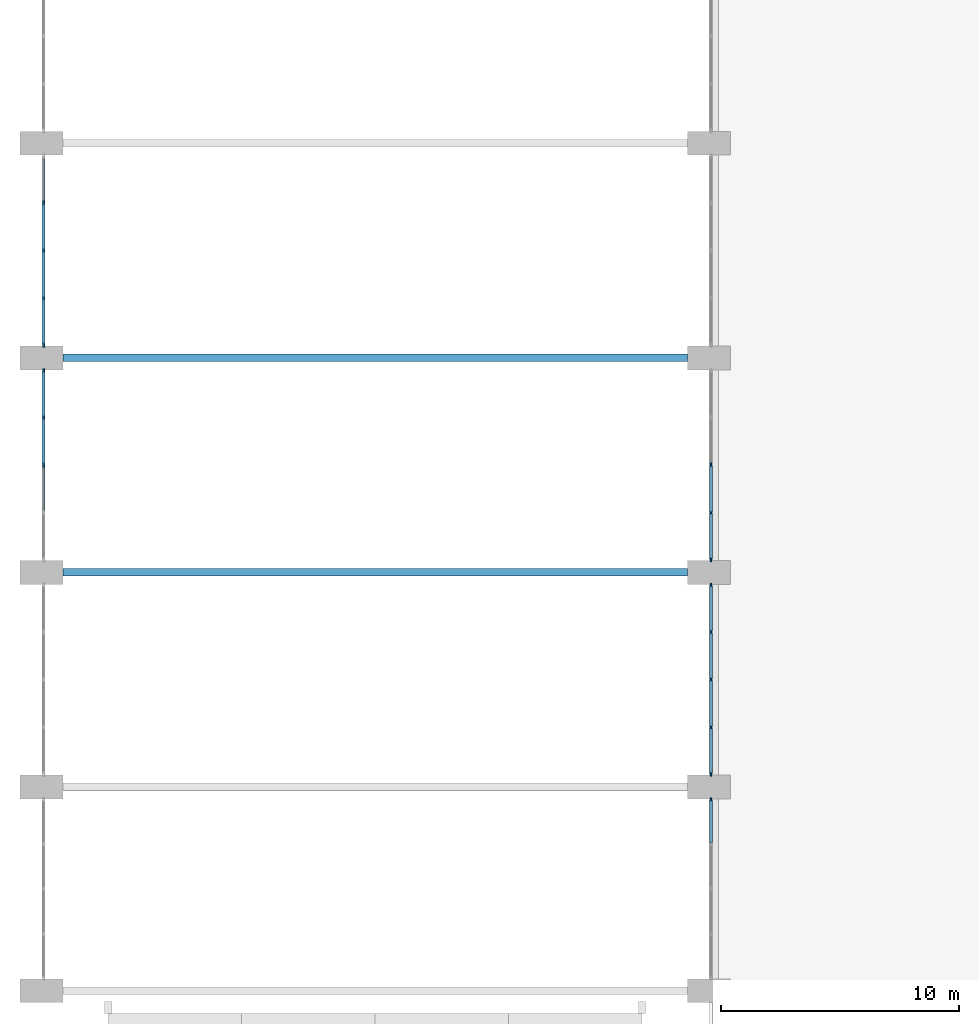
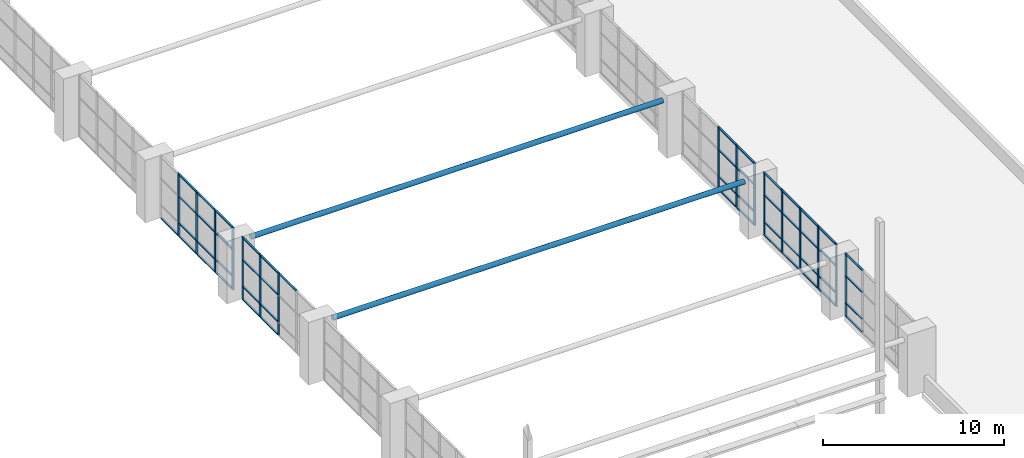
# One storey, part 3 of 21: 68 members, 5 elements without a shape of their own.
"""IFC4 building model written with IfcOpenShell, lengths in metres."""

import ifcopenshell
import ifcopenshell.guid

model = None  # the IFC model being written
_history = None  # IfcOwnerHistory: only IFC2X3 demands one
_inside = {}  # id of a spatial element -> (the spatial element, [elements in it])
_under = {}  # id of a project, library or spatial element -> (it, [spatial elements below it])
_declared = {}  # id of a project -> (the project, [libraries it declares])
_typed = {}  # id of a type object -> (the type object, [elements of that type])
_made_of = {}  # id of a material, layer set ... -> (it, [elements and type objects made of it])


def new_model(schema):
    """Start an empty IFC model of exactly this schema.

    Asked for "IFC4X3", IfcOpenShell would pick the latest addendum, in which some entities
    have other attributes; the version numbers below select the first issue.
    IFC2X3 requires an IfcOwnerHistory on every rooted entity: one is made here for all.
    """
    global model, _history
    if schema == "IFC4X3":
        model = ifcopenshell.file(schema_version=(4, 3, 0, 0))
    else:
        model = ifcopenshell.file(schema=schema)
    _inside.clear()
    _under.clear()
    _declared.clear()
    _typed.clear()
    _made_of.clear()
    _history = None
    if model.schema == "IFC2X3":
        org = make("IfcOrganization", Name="unknown")
        user = make(
            "IfcPersonAndOrganization",
            ThePerson=make("IfcPerson", FamilyName="unknown"),
            TheOrganization=org,
        )
        app = make(
            "IfcApplication",
            ApplicationDeveloper=org,
            Version="unknown",
            ApplicationFullName="unknown",
            ApplicationIdentifier="unknown",
        )
        _history = make(
            "IfcOwnerHistory",
            OwningUser=user,
            OwningApplication=app,
            ChangeAction="ADDED",
            CreationDate=0,
        )
    return model


def make(cls, **values):
    """One entity of the class cls with the attributes given. An attribute that is None is left unset."""
    return model.create_entity(
        cls, **{name: value for name, value in values.items() if value is not None}
    )


def rooted(cls, **values):
    """An entity with a GlobalId (a new one), such as an element, a storey or a relation."""
    return make(cls, GlobalId=ifcopenshell.guid.new(), OwnerHistory=_history, **values)


def si_unit(unit_type, name, prefix=None):
    """IfcSIUnit, for example si_unit("LENGTHUNIT", "METRE", prefix="MILLI")."""
    return make("IfcSIUnit", UnitType=unit_type, Prefix=prefix, Name=name)


def assignment(units):
    """IfcUnitAssignment: the units of a project."""
    return None if units is None else make("IfcUnitAssignment", Units=units)


def point(xyz):
    """IfcCartesianPoint."""
    return None if xyz is None else make("IfcCartesianPoint", Coordinates=xyz)


def direction(xyz):
    """IfcDirection."""
    return None if xyz is None else make("IfcDirection", DirectionRatios=xyz)


def frame(location, z_axis=None, x_axis=None):
    """IfcAxis2Placement3D, a coordinate frame: its origin and axes. An axis left out is left unset."""
    return make(
        "IfcAxis2Placement3D",
        Location=point(location),
        Axis=direction(z_axis),
        RefDirection=direction(x_axis),
    )


def frame_2d(location, x_axis=None):
    """IfcAxis2Placement2D, a coordinate frame in the plane: its origin and x axis."""
    return make(
        "IfcAxis2Placement2D", Location=point(location), RefDirection=direction(x_axis)
    )


def origin():
    """The frame at (0, 0, 0) with its axes left unset."""
    return frame((0.0, 0.0, 0.0))


def origin_2d():
    """The frame at (0, 0) in the plane with its x axis left unset."""
    return frame_2d((0.0, 0.0))


def place(relative_to, where):
    """IfcLocalPlacement: puts the frame where relative to a parent placement (None: the world)."""
    return make(
        "IfcLocalPlacement", PlacementRelTo=relative_to, RelativePlacement=where
    )


def context(
    kind, dimensions, precision=None, world=None, true_north=None, identifier=None
):
    """IfcGeometricRepresentationContext, for example the 3D "Model" context."""
    return make(
        "IfcGeometricRepresentationContext",
        ContextIdentifier=identifier,
        ContextType=kind,
        CoordinateSpaceDimension=dimensions,
        Precision=precision,
        WorldCoordinateSystem=world,
        TrueNorth=true_north,
    )


def subcontext(parent, identifier, kind, view, scale=None):
    """IfcGeometricRepresentationSubContext, for example "Body" below "Model"."""
    return make(
        "IfcGeometricRepresentationSubContext",
        ContextIdentifier=identifier,
        ContextType=kind,
        ParentContext=parent,
        TargetScale=scale,
        TargetView=view,
    )


def project(units=None, contexts=None):
    """IfcProject with its units and contexts."""
    return rooted(
        "IfcProject",
        Name="project",
        RepresentationContexts=contexts,
        UnitsInContext=assignment(units),
    )


def spatial(cls, under=None, at=None, **own):
    """A site, building, storey or space (cls), placed at a placement, below another one or the project."""
    s = rooted(cls, ObjectPlacement=at, **own)
    if under is not None:
        _under.setdefault(under.id(), (under, []))[1].append(s)
    return s


def profile(cls, at=None, kind="AREA", **sizes):
    """A parametric profile (cls). Its sizes go by their IFC names, for example OverallWidth=200.0."""
    return make(cls, ProfileType=kind, Position=at, **sizes)


def rectangle(**sizes):
    """IfcRectangleProfileDef."""
    return profile("IfcRectangleProfileDef", **sizes)


def hollow_circle(**sizes):
    """IfcCircleHollowProfileDef."""
    return profile("IfcCircleHollowProfileDef", **sizes)


def extrude(swept, where, along, depth):
    """IfcExtrudedAreaSolid: the profile swept, set in the frame where, extruded along a direction by depth."""
    return make(
        "IfcExtrudedAreaSolid",
        SweptArea=swept,
        Position=where,
        ExtrudedDirection=direction(along),
        Depth=depth,
    )


def shape(context_of_items, identifier, shape_type, items):
    """IfcShapeRepresentation: the items that make up one representation, for example the "Body"."""
    return make(
        "IfcShapeRepresentation",
        ContextOfItems=context_of_items,
        RepresentationIdentifier=identifier,
        RepresentationType=shape_type,
        Items=items,
    )


def material(Name=None, Category=None):
    """IfcMaterial."""
    return make("IfcMaterial", Name=Name, Category=Category)


def material_profile(
    of_material, cross_section, Name=None, Category=None, Priority=None
):
    """IfcMaterialProfile: a cross section and its material."""
    return make(
        "IfcMaterialProfile",
        Name=Name,
        Material=of_material,
        Profile=cross_section,
        Priority=Priority,
        Category=Category,
    )


def profile_set(profiles, Name=None, composite=None):
    """IfcMaterialProfileSet."""
    return make(
        "IfcMaterialProfileSet",
        Name=Name,
        MaterialProfiles=profiles,
        CompositeProfile=composite,
    )


def made_of(thing, what):
    """Note that an element or type object is made of a material, layer set ...; save() writes the relation."""
    if what is not None:
        _made_of.setdefault(what.id(), (what, []))[1].append(thing)
    return thing


def type_object(cls, material=None, **own):
    """A type object (cls), such as IfcWallType, which elements share."""
    return made_of(rooted(cls, **own), material)


def element(
    cls,
    number,
    at=None,
    inside=None,
    cuts=None,
    type_object=None,
    material=None,
    context=None,
    identifier="Body",
    shape_type=None,
    held_by="IfcProductDefinitionShape",
    body=None,
    shapes=None,
    **own,
):
    """One element of the class cls, such as IfcWall. Its Tag is "e" and its number.

    at: its placement. inside: the storey or other place that contains it. cuts: it is an
    opening in that element (IfcRelVoidsElement). A single representation is given by context,
    identifier, shape_type and body (its items); several are given by shapes. held_by: the class
    of the entity that holds the representations. save() writes the other relations.
    """
    e = rooted(cls, Tag="e%d" % number, ObjectPlacement=at, **own)
    if body is not None:
        shapes = [shape(context, identifier, shape_type, body)]
    if shapes is not None:
        e.Representation = make(held_by, Representations=shapes)
    if inside is not None:
        _inside.setdefault(inside.id(), (inside, []))[1].append(e)
    if cuts is not None:
        rooted(
            "IfcRelVoidsElement", RelatingBuildingElement=cuts, RelatedOpeningElement=e
        )
    if type_object is not None:
        _typed.setdefault(type_object.id(), (type_object, []))[1].append(e)
    return made_of(e, material)


def aggregate(whole, parts):
    """IfcRelAggregates: a whole, such as a stair, and the parts it consists of."""
    return rooted("IfcRelAggregates", RelatingObject=whole, RelatedObjects=parts)


def save(model, path):
    """Write the relations noted so far, then the file.

    IfcRelAggregates (storeys below a building ...), IfcRelContainedInSpatialStructure (elements
    in a storey), IfcRelDefinesByType, IfcRelAssociatesMaterial and IfcRelDeclares: one each for
    every whole, place, type object, material and project.
    """
    for whole, parts in _under.values():
        aggregate(whole, parts)
    for where, things in _inside.values():
        rooted(
            "IfcRelContainedInSpatialStructure",
            RelatedElements=things,
            RelatingStructure=where,
        )
    for kind, things in _typed.values():
        rooted("IfcRelDefinesByType", RelatedObjects=things, RelatingType=kind)
    for what, things in _made_of.values():
        rooted("IfcRelAssociatesMaterial", RelatedObjects=things, RelatingMaterial=what)
    for by, libraries in _declared.values():
        rooted("IfcRelDeclares", RelatingContext=by, RelatedDefinitions=libraries)
    model.write(path)


model = new_model("IFC4")

# Units and contexts
model_context = context("Model", 3, precision=1e-05, world=origin(), true_north=direction((0.0, 1.0)))
body_context = subcontext(model_context, "Body", "Model", "MODEL_VIEW")
ifc_project = project(units=[si_unit("LENGTHUNIT", "METRE"), si_unit("AREAUNIT", "SQUARE_METRE"), si_unit("VOLUMEUNIT", "CUBIC_METRE"), si_unit("PLANEANGLEUNIT", "RADIAN"), si_unit("MASSUNIT", "GRAM", prefix="KILO")], contexts=[model_context])

# Site, building, storey
site_placement = place(None, origin())
site = spatial("IfcSite", under=ifc_project, at=site_placement, CompositionType="ELEMENT")
building_placement = place(site_placement, origin())
building = spatial("IfcBuilding", under=site, at=building_placement, Name="Elmora Arch Market Hall", CompositionType="ELEMENT")
storey_placement = place(building_placement, frame((0.0, 0.0, 14.39990234375)))
storey = spatial("IfcBuildingStorey", under=building, at=storey_placement, Name="L03", CompositionType="ELEMENT", Elevation=14.39990234375)

# Curtain wall, members
ifc_material_1 = material(Name="Aluminium", Category="aluminium")
curtain_wall_type = type_object("IfcCurtainWallType", Name="Hall front curtain wall", PredefinedType="NOTDEFINED", material=ifc_material_1)
curtain_wall_1_placement = place(storey_placement, origin())
curtain_wall_1 = element("IfcCurtainWall", 1, at=curtain_wall_1_placement, inside=storey, type_object=curtain_wall_type, Name="Hall west glazing L03 3", PredefinedType="NOTDEFINED")
ifc_material_2 = material(Name="Aluminium", Category="aluminium")
ifc_material_profile_1 = material_profile(ifc_material_2, rectangle(XDim=0.080078125, YDim=0.179931640625, at=origin_2d()), Name="AL 80x180")
ifc_profile_set_1 = profile_set([ifc_material_profile_1], Name="Aluminium")
member_type_1 = type_object("IfcMemberType", Name="Mullion 80x180", PredefinedType="MULLION", material=ifc_profile_set_1)
member_1_placement = place(storey_placement, frame((15.090087890625, 49.5, 0.0), z_axis=(0.0, 0.0, 1.0), x_axis=(-1.0, 0.0, 0.0)))
member_1 = element("IfcMember", 2, at=member_1_placement, type_object=member_type_1, Name="CW2 mullion 3", PredefinedType="MULLION", context=body_context, shape_type="SweptSolid", body=[
    extrude(rectangle(XDim=0.080078125, YDim=0.179931640625, at=origin_2d()), origin(), (0.0, 0.0, 1.0), 4.2001953125),
])
member_2_placement = place(storey_placement, frame((15.090087890625, 51.5, 0.0), z_axis=(0.0, 0.0, 1.0), x_axis=(-1.0, 0.0, 0.0)))
member_2 = element("IfcMember", 3, at=member_2_placement, type_object=member_type_1, Name="CW2 mullion 4", PredefinedType="MULLION", context=body_context, shape_type="SweptSolid", body=[
    extrude(rectangle(XDim=0.080078125, YDim=0.179931640625, at=origin_2d()), origin(), (0.0, 0.0, 1.0), 4.2001953125),
])
member_3_placement = place(storey_placement, frame((15.090087890625, 53.4599609375, 0.0), z_axis=(0.0, 0.0, 1.0), x_axis=(-1.0, 0.0, 0.0)))
member_3 = element("IfcMember", 4, at=member_3_placement, type_object=member_type_1, Name="CW2 mullion 5", PredefinedType="MULLION", context=body_context, shape_type="SweptSolid", body=[
    extrude(rectangle(XDim=0.080078125, YDim=0.179931640625, at=origin_2d()), origin(), (0.0, 0.0, 1.0), 4.2001953125),
])

curtain_wall_2_placement = place(storey_placement, origin())
curtain_wall_2 = element("IfcCurtainWall", 5, at=curtain_wall_2_placement, inside=storey, type_object=curtain_wall_type, Name="Hall west glazing L03 4", PredefinedType="NOTDEFINED")
member_4_placement = place(storey_placement, frame((15.090087890625, 54.5400390625, 0.0), z_axis=(0.0, 0.0, 1.0), x_axis=(-1.0, 0.0, 0.0)))
member_4 = element("IfcMember", 6, at=member_4_placement, type_object=member_type_1, Name="CW2 mullion 1", PredefinedType="MULLION", context=body_context, shape_type="SweptSolid", body=[
    extrude(rectangle(XDim=0.080078125, YDim=0.179931640625, at=origin_2d()), origin(), (0.0, 0.0, 1.0), 4.2001953125),
])
member_5_placement = place(storey_placement, frame((15.090087890625, 56.5, 0.0), z_axis=(0.0, 0.0, 1.0), x_axis=(-1.0, 0.0, 0.0)))
member_5 = element("IfcMember", 7, at=member_5_placement, type_object=member_type_1, Name="CW2 mullion 2", PredefinedType="MULLION", context=body_context, shape_type="SweptSolid", body=[
    extrude(rectangle(XDim=0.080078125, YDim=0.179931640625, at=origin_2d()), origin(), (0.0, 0.0, 1.0), 4.2001953125),
])
member_6_placement = place(storey_placement, frame((15.090087890625, 58.5, 0.0), z_axis=(0.0, 0.0, 1.0), x_axis=(-1.0, 0.0, 0.0)))
member_6 = element("IfcMember", 8, at=member_6_placement, type_object=member_type_1, Name="CW2 mullion 3", PredefinedType="MULLION", context=body_context, shape_type="SweptSolid", body=[
    extrude(rectangle(XDim=0.080078125, YDim=0.179931640625, at=origin_2d()), origin(), (0.0, 0.0, 1.0), 4.2001953125),
])
member_7_placement = place(storey_placement, frame((15.090087890625, 60.5, 0.0), z_axis=(0.0, 0.0, 1.0), x_axis=(-1.0, 0.0, 0.0)))
member_7 = element("IfcMember", 9, at=member_7_placement, type_object=member_type_1, Name="CW2 mullion 4", PredefinedType="MULLION", context=body_context, shape_type="SweptSolid", body=[
    extrude(rectangle(XDim=0.080078125, YDim=0.179931640625, at=origin_2d()), origin(), (0.0, 0.0, 1.0), 4.2001953125),
])

# Curtain wall, member
curtain_wall_3_placement = place(storey_placement, origin())
curtain_wall_3 = element("IfcCurtainWall", 10, at=curtain_wall_3_placement, inside=storey, type_object=curtain_wall_type, Name="Hall east glazing L03 1", PredefinedType="NOTDEFINED")
member_8_placement = place(storey_placement, frame((43.090087890625, 35.4599609375, 0.0), z_axis=(0.0, 0.0, 1.0), x_axis=(-1.0, 0.0, 0.0)))
member_8 = element("IfcMember", 11, at=member_8_placement, type_object=member_type_1, Name="CW2 mullion 5", PredefinedType="MULLION", context=body_context, shape_type="SweptSolid", body=[
    extrude(rectangle(XDim=0.080078125, YDim=0.179931640625, at=origin_2d()), origin(), (0.0, 0.0, 1.0), 4.2001953125),
])

# Curtain wall, members
curtain_wall_4_placement = place(storey_placement, origin())
curtain_wall_4 = element("IfcCurtainWall", 12, at=curtain_wall_4_placement, inside=storey, type_object=curtain_wall_type, Name="Hall east glazing L03 2", PredefinedType="NOTDEFINED")
member_9_placement = place(storey_placement, frame((43.090087890625, 36.5400390625, 0.0), z_axis=(0.0, 0.0, 1.0), x_axis=(-1.0, 0.0, 0.0)))
member_9 = element("IfcMember", 13, at=member_9_placement, type_object=member_type_1, Name="CW2 mullion 1", PredefinedType="MULLION", context=body_context, shape_type="SweptSolid", body=[
    extrude(rectangle(XDim=0.080078125, YDim=0.179931640625, at=origin_2d()), origin(), (0.0, 0.0, 1.0), 4.2001953125),
])
member_10_placement = place(storey_placement, frame((43.090087890625, 38.5, 0.0), z_axis=(0.0, 0.0, 1.0), x_axis=(-1.0, 0.0, 0.0)))
member_10 = element("IfcMember", 14, at=member_10_placement, type_object=member_type_1, Name="CW2 mullion 2", PredefinedType="MULLION", context=body_context, shape_type="SweptSolid", body=[
    extrude(rectangle(XDim=0.080078125, YDim=0.179931640625, at=origin_2d()), origin(), (0.0, 0.0, 1.0), 4.2001953125),
])
member_11_placement = place(storey_placement, frame((43.090087890625, 40.5, 0.0), z_axis=(0.0, 0.0, 1.0), x_axis=(-1.0, 0.0, 0.0)))
member_11 = element("IfcMember", 15, at=member_11_placement, type_object=member_type_1, Name="CW2 mullion 3", PredefinedType="MULLION", context=body_context, shape_type="SweptSolid", body=[
    extrude(rectangle(XDim=0.080078125, YDim=0.179931640625, at=origin_2d()), origin(), (0.0, 0.0, 1.0), 4.2001953125),
])
member_12_placement = place(storey_placement, frame((43.090087890625, 42.5, 0.0), z_axis=(0.0, 0.0, 1.0), x_axis=(-1.0, 0.0, 0.0)))
member_12 = element("IfcMember", 16, at=member_12_placement, type_object=member_type_1, Name="CW2 mullion 4", PredefinedType="MULLION", context=body_context, shape_type="SweptSolid", body=[
    extrude(rectangle(XDim=0.080078125, YDim=0.179931640625, at=origin_2d()), origin(), (0.0, 0.0, 1.0), 4.2001953125),
])
member_13_placement = place(storey_placement, frame((43.090087890625, 44.4599609375, 0.0), z_axis=(0.0, 0.0, 1.0), x_axis=(-1.0, 0.0, 0.0)))
member_13 = element("IfcMember", 17, at=member_13_placement, type_object=member_type_1, Name="CW2 mullion 5", PredefinedType="MULLION", context=body_context, shape_type="SweptSolid", body=[
    extrude(rectangle(XDim=0.080078125, YDim=0.179931640625, at=origin_2d()), origin(), (0.0, 0.0, 1.0), 4.2001953125),
])

curtain_wall_5_placement = place(storey_placement, origin())
curtain_wall_5 = element("IfcCurtainWall", 18, at=curtain_wall_5_placement, inside=storey, type_object=curtain_wall_type, Name="Hall east glazing L03 3", PredefinedType="NOTDEFINED")
member_14_placement = place(storey_placement, frame((43.090087890625, 45.5400390625, 0.0), z_axis=(0.0, 0.0, 1.0), x_axis=(-1.0, 0.0, 0.0)))
member_14 = element("IfcMember", 19, at=member_14_placement, type_object=member_type_1, Name="CW2 mullion 1", PredefinedType="MULLION", context=body_context, shape_type="SweptSolid", body=[
    extrude(rectangle(XDim=0.080078125, YDim=0.179931640625, at=origin_2d()), origin(), (0.0, 0.0, 1.0), 4.2001953125),
])
member_15_placement = place(storey_placement, frame((43.090087890625, 47.5, 0.0), z_axis=(0.0, 0.0, 1.0), x_axis=(-1.0, 0.0, 0.0)))
member_15 = element("IfcMember", 20, at=member_15_placement, type_object=member_type_1, Name="CW2 mullion 2", PredefinedType="MULLION", context=body_context, shape_type="SweptSolid", body=[
    extrude(rectangle(XDim=0.080078125, YDim=0.179931640625, at=origin_2d()), origin(), (0.0, 0.0, 1.0), 4.2001953125),
])
member_16_placement = place(storey_placement, frame((43.090087890625, 49.5, 0.0), z_axis=(0.0, 0.0, 1.0), x_axis=(-1.0, 0.0, 0.0)))
member_16 = element("IfcMember", 21, at=member_16_placement, type_object=member_type_1, Name="CW2 mullion 3", PredefinedType="MULLION", context=body_context, shape_type="SweptSolid", body=[
    extrude(rectangle(XDim=0.080078125, YDim=0.179931640625, at=origin_2d()), origin(), (0.0, 0.0, 1.0), 4.2001953125),
])

# Members
ifc_material_3 = material(Name="Steel ASTM A500 Gr C", Category="steel")
ifc_material_profile_2 = material_profile(ifc_material_3, hollow_circle(Radius=0.161865234375, WallThickness=0.0126953125, at=origin_2d()), Name="Tie rod")
ifc_profile_set_2 = profile_set([ifc_material_profile_2], Name="Steel ASTM A500 Gr C")
member_type_2 = type_object("IfcMemberType", Name="Tie rod", PredefinedType="USERDEFINED", material=ifc_profile_set_2)
for number, where, z_axis, x_axis, name in (
    (22, (15.89990234375, 45.0, 3.60009765625), (1.0, 0.0, 0.0), (0.0, 1.0, 0.0), "Tie rod 03"),
    (23, (15.89990234375, 54.0, 3.60009765625), (1.0, 0.0, 0.0), (0.0, 1.0, 0.0), "Tie rod 04"),
):
    element("IfcMember", number, at=place(storey_placement, frame(where, z_axis=z_axis, x_axis=x_axis)), inside=storey, type_object=member_type_2, Name=name, ObjectType="TIE ROD", PredefinedType="USERDEFINED", context=body_context, shape_type="SweptSolid", body=[
        extrude(hollow_circle(Radius=0.161865234375, WallThickness=0.0126953125, at=origin_2d()), origin(), (0.0, 0.0, 1.0), 26.2001953125),
    ])

# Member
ifc_material_4 = material(Name="Aluminium", Category="aluminium")
ifc_material_profile_3 = material_profile(ifc_material_4, rectangle(XDim=0.1201171875, YDim=0.06005859375, at=origin_2d()), Name="AL 120x60")
ifc_profile_set_3 = profile_set([ifc_material_profile_3], Name="Aluminium")
member_type_3 = type_object("IfcMemberType", Name="Transom 120x60", PredefinedType="USERDEFINED", material=ifc_profile_set_3)
member_17_placement = place(storey_placement, frame((15.090087890625, 47.5400390625, 4.170166015625), z_axis=(0.0, 1.0, 0.0), x_axis=(-1.0, 0.0, 0.0)))
member_17 = element("IfcMember", 24, at=member_17_placement, type_object=member_type_3, Name="CW2 transom 2.4", ObjectType="TRANSOM", PredefinedType="USERDEFINED", context=body_context, shape_type="SweptSolid", body=[
    extrude(rectangle(XDim=0.1201171875, YDim=0.06005859375, at=origin_2d()), origin(), (0.0, 0.0, 1.0), 1.919921875),
])

member_18_placement = place(storey_placement, frame((15.090087890625, 49.5400390625, 0.030029296875), z_axis=(0.0, 1.0, 0.0), x_axis=(-1.0, 0.0, 0.0)))
member_18 = element("IfcMember", 25, at=member_18_placement, type_object=member_type_3, Name="CW2 transom 3.1", ObjectType="TRANSOM", PredefinedType="USERDEFINED", context=body_context, shape_type="SweptSolid", body=[
    extrude(rectangle(XDim=0.1201171875, YDim=0.06005859375, at=origin_2d()), origin(), (0.0, 0.0, 1.0), 1.919921875),
])

member_19_placement = place(storey_placement, frame((15.090087890625, 49.5400390625, 0.900146484375), z_axis=(0.0, 1.0, 0.0), x_axis=(-1.0, 0.0, 0.0)))
member_19 = element("IfcMember", 26, at=member_19_placement, type_object=member_type_3, Name="CW2 transom 3.2", ObjectType="TRANSOM", PredefinedType="USERDEFINED", context=body_context, shape_type="SweptSolid", body=[
    extrude(rectangle(XDim=0.1201171875, YDim=0.06005859375, at=origin_2d()), origin(), (0.0, 0.0, 1.0), 1.919921875),
])

member_20_placement = place(storey_placement, frame((15.090087890625, 49.5400390625, 2.7001953125), z_axis=(0.0, 1.0, 0.0), x_axis=(-1.0, 0.0, 0.0)))
member_20 = element("IfcMember", 27, at=member_20_placement, type_object=member_type_3, Name="CW2 transom 3.3", ObjectType="TRANSOM", PredefinedType="USERDEFINED", context=body_context, shape_type="SweptSolid", body=[
    extrude(rectangle(XDim=0.1201171875, YDim=0.06005859375, at=origin_2d()), origin(), (0.0, 0.0, 1.0), 1.919921875),
])

member_21_placement = place(storey_placement, frame((15.090087890625, 49.5400390625, 4.170166015625), z_axis=(0.0, 1.0, 0.0), x_axis=(-1.0, 0.0, 0.0)))
member_21 = element("IfcMember", 28, at=member_21_placement, type_object=member_type_3, Name="CW2 transom 3.4", ObjectType="TRANSOM", PredefinedType="USERDEFINED", context=body_context, shape_type="SweptSolid", body=[
    extrude(rectangle(XDim=0.1201171875, YDim=0.06005859375, at=origin_2d()), origin(), (0.0, 0.0, 1.0), 1.919921875),
])

member_22_placement = place(storey_placement, frame((15.090087890625, 51.5400390625, 0.030029296875), z_axis=(0.0, 1.0, 0.0), x_axis=(-1.0, 0.0, 0.0)))
member_22 = element("IfcMember", 29, at=member_22_placement, type_object=member_type_3, Name="CW2 transom 4.1", ObjectType="TRANSOM", PredefinedType="USERDEFINED", context=body_context, shape_type="SweptSolid", body=[
    extrude(rectangle(XDim=0.1201171875, YDim=0.06005859375, at=origin_2d()), origin(), (0.0, 0.0, 1.0), 1.8798828125),
])

member_23_placement = place(storey_placement, frame((15.090087890625, 51.5400390625, 0.900146484375), z_axis=(0.0, 1.0, 0.0), x_axis=(-1.0, 0.0, 0.0)))
member_23 = element("IfcMember", 30, at=member_23_placement, type_object=member_type_3, Name="CW2 transom 4.2", ObjectType="TRANSOM", PredefinedType="USERDEFINED", context=body_context, shape_type="SweptSolid", body=[
    extrude(rectangle(XDim=0.1201171875, YDim=0.06005859375, at=origin_2d()), origin(), (0.0, 0.0, 1.0), 1.8798828125),
])

member_24_placement = place(storey_placement, frame((15.090087890625, 51.5400390625, 2.7001953125), z_axis=(0.0, 1.0, 0.0), x_axis=(-1.0, 0.0, 0.0)))
member_24 = element("IfcMember", 31, at=member_24_placement, type_object=member_type_3, Name="CW2 transom 4.3", ObjectType="TRANSOM", PredefinedType="USERDEFINED", context=body_context, shape_type="SweptSolid", body=[
    extrude(rectangle(XDim=0.1201171875, YDim=0.06005859375, at=origin_2d()), origin(), (0.0, 0.0, 1.0), 1.8798828125),
])

member_25_placement = place(storey_placement, frame((15.090087890625, 51.5400390625, 4.170166015625), z_axis=(0.0, 1.0, 0.0), x_axis=(-1.0, 0.0, 0.0)))
member_25 = element("IfcMember", 32, at=member_25_placement, type_object=member_type_3, Name="CW2 transom 4.4", ObjectType="TRANSOM", PredefinedType="USERDEFINED", context=body_context, shape_type="SweptSolid", body=[
    extrude(rectangle(XDim=0.1201171875, YDim=0.06005859375, at=origin_2d()), origin(), (0.0, 0.0, 1.0), 1.8798828125),
])

aggregate(curtain_wall_1, [member_1, member_2, member_3, member_17, member_18, member_19, member_20, member_21, member_22, member_23, member_24, member_25])

member_26_placement = place(storey_placement, frame((15.090087890625, 54.580078125, 0.030029296875), z_axis=(0.0, 1.0, 0.0), x_axis=(-1.0, 0.0, 0.0)))
member_26 = element("IfcMember", 33, at=member_26_placement, type_object=member_type_3, Name="CW2 transom 1.1", ObjectType="TRANSOM", PredefinedType="USERDEFINED", context=body_context, shape_type="SweptSolid", body=[
    extrude(rectangle(XDim=0.1201171875, YDim=0.06005859375, at=origin_2d()), origin(), (0.0, 0.0, 1.0), 1.8798828125),
])

member_27_placement = place(storey_placement, frame((15.090087890625, 54.580078125, 0.900146484375), z_axis=(0.0, 1.0, 0.0), x_axis=(-1.0, 0.0, 0.0)))
member_27 = element("IfcMember", 34, at=member_27_placement, type_object=member_type_3, Name="CW2 transom 1.2", ObjectType="TRANSOM", PredefinedType="USERDEFINED", context=body_context, shape_type="SweptSolid", body=[
    extrude(rectangle(XDim=0.1201171875, YDim=0.06005859375, at=origin_2d()), origin(), (0.0, 0.0, 1.0), 1.8798828125),
])

member_28_placement = place(storey_placement, frame((15.090087890625, 54.580078125, 2.7001953125), z_axis=(0.0, 1.0, 0.0), x_axis=(-1.0, 0.0, 0.0)))
member_28 = element("IfcMember", 35, at=member_28_placement, type_object=member_type_3, Name="CW2 transom 1.3", ObjectType="TRANSOM", PredefinedType="USERDEFINED", context=body_context, shape_type="SweptSolid", body=[
    extrude(rectangle(XDim=0.1201171875, YDim=0.06005859375, at=origin_2d()), origin(), (0.0, 0.0, 1.0), 1.8798828125),
])

member_29_placement = place(storey_placement, frame((15.090087890625, 54.580078125, 4.170166015625), z_axis=(0.0, 1.0, 0.0), x_axis=(-1.0, 0.0, 0.0)))
member_29 = element("IfcMember", 36, at=member_29_placement, type_object=member_type_3, Name="CW2 transom 1.4", ObjectType="TRANSOM", PredefinedType="USERDEFINED", context=body_context, shape_type="SweptSolid", body=[
    extrude(rectangle(XDim=0.1201171875, YDim=0.06005859375, at=origin_2d()), origin(), (0.0, 0.0, 1.0), 1.8798828125),
])

member_30_placement = place(storey_placement, frame((15.090087890625, 56.5400390625, 0.030029296875), z_axis=(0.0, 1.0, 0.0), x_axis=(-1.0, 0.0, 0.0)))
member_30 = element("IfcMember", 37, at=member_30_placement, type_object=member_type_3, Name="CW2 transom 2.1", ObjectType="TRANSOM", PredefinedType="USERDEFINED", context=body_context, shape_type="SweptSolid", body=[
    extrude(rectangle(XDim=0.1201171875, YDim=0.06005859375, at=origin_2d()), origin(), (0.0, 0.0, 1.0), 1.919921875),
])

member_31_placement = place(storey_placement, frame((15.090087890625, 56.5400390625, 0.900146484375), z_axis=(0.0, 1.0, 0.0), x_axis=(-1.0, 0.0, 0.0)))
member_31 = element("IfcMember", 38, at=member_31_placement, type_object=member_type_3, Name="CW2 transom 2.2", ObjectType="TRANSOM", PredefinedType="USERDEFINED", context=body_context, shape_type="SweptSolid", body=[
    extrude(rectangle(XDim=0.1201171875, YDim=0.06005859375, at=origin_2d()), origin(), (0.0, 0.0, 1.0), 1.919921875),
])

member_32_placement = place(storey_placement, frame((15.090087890625, 56.5400390625, 2.7001953125), z_axis=(0.0, 1.0, 0.0), x_axis=(-1.0, 0.0, 0.0)))
member_32 = element("IfcMember", 39, at=member_32_placement, type_object=member_type_3, Name="CW2 transom 2.3", ObjectType="TRANSOM", PredefinedType="USERDEFINED", context=body_context, shape_type="SweptSolid", body=[
    extrude(rectangle(XDim=0.1201171875, YDim=0.06005859375, at=origin_2d()), origin(), (0.0, 0.0, 1.0), 1.919921875),
])

member_33_placement = place(storey_placement, frame((15.090087890625, 56.5400390625, 4.170166015625), z_axis=(0.0, 1.0, 0.0), x_axis=(-1.0, 0.0, 0.0)))
member_33 = element("IfcMember", 40, at=member_33_placement, type_object=member_type_3, Name="CW2 transom 2.4", ObjectType="TRANSOM", PredefinedType="USERDEFINED", context=body_context, shape_type="SweptSolid", body=[
    extrude(rectangle(XDim=0.1201171875, YDim=0.06005859375, at=origin_2d()), origin(), (0.0, 0.0, 1.0), 1.919921875),
])

member_34_placement = place(storey_placement, frame((15.090087890625, 58.5400390625, 0.030029296875), z_axis=(0.0, 1.0, 0.0), x_axis=(-1.0, 0.0, 0.0)))
member_34 = element("IfcMember", 41, at=member_34_placement, type_object=member_type_3, Name="CW2 transom 3.1", ObjectType="TRANSOM", PredefinedType="USERDEFINED", context=body_context, shape_type="SweptSolid", body=[
    extrude(rectangle(XDim=0.1201171875, YDim=0.06005859375, at=origin_2d()), origin(), (0.0, 0.0, 1.0), 1.919921875),
])

member_35_placement = place(storey_placement, frame((15.090087890625, 58.5400390625, 0.900146484375), z_axis=(0.0, 1.0, 0.0), x_axis=(-1.0, 0.0, 0.0)))
member_35 = element("IfcMember", 42, at=member_35_placement, type_object=member_type_3, Name="CW2 transom 3.2", ObjectType="TRANSOM", PredefinedType="USERDEFINED", context=body_context, shape_type="SweptSolid", body=[
    extrude(rectangle(XDim=0.1201171875, YDim=0.06005859375, at=origin_2d()), origin(), (0.0, 0.0, 1.0), 1.919921875),
])

member_36_placement = place(storey_placement, frame((15.090087890625, 58.5400390625, 2.7001953125), z_axis=(0.0, 1.0, 0.0), x_axis=(-1.0, 0.0, 0.0)))
member_36 = element("IfcMember", 43, at=member_36_placement, type_object=member_type_3, Name="CW2 transom 3.3", ObjectType="TRANSOM", PredefinedType="USERDEFINED", context=body_context, shape_type="SweptSolid", body=[
    extrude(rectangle(XDim=0.1201171875, YDim=0.06005859375, at=origin_2d()), origin(), (0.0, 0.0, 1.0), 1.919921875),
])

member_37_placement = place(storey_placement, frame((15.090087890625, 58.5400390625, 4.170166015625), z_axis=(0.0, 1.0, 0.0), x_axis=(-1.0, 0.0, 0.0)))
member_37 = element("IfcMember", 44, at=member_37_placement, type_object=member_type_3, Name="CW2 transom 3.4", ObjectType="TRANSOM", PredefinedType="USERDEFINED", context=body_context, shape_type="SweptSolid", body=[
    extrude(rectangle(XDim=0.1201171875, YDim=0.06005859375, at=origin_2d()), origin(), (0.0, 0.0, 1.0), 1.919921875),
])

member_38_placement = place(storey_placement, frame((15.090087890625, 60.5400390625, 0.030029296875), z_axis=(0.0, 1.0, 0.0), x_axis=(-1.0, 0.0, 0.0)))
member_38 = element("IfcMember", 45, at=member_38_placement, type_object=member_type_3, Name="CW2 transom 4.1", ObjectType="TRANSOM", PredefinedType="USERDEFINED", context=body_context, shape_type="SweptSolid", body=[
    extrude(rectangle(XDim=0.1201171875, YDim=0.06005859375, at=origin_2d()), origin(), (0.0, 0.0, 1.0), 1.8798828125),
])

aggregate(curtain_wall_2, [member_4, member_5, member_6, member_7, member_26, member_27, member_28, member_29, member_30, member_31, member_32, member_33, member_34, member_35, member_36, member_37, member_38])

member_39_placement = place(storey_placement, frame((43.090087890625, 33.652587890625, 0.030029296875), z_axis=(0.0, 1.0, 0.0), x_axis=(-1.0, 0.0, 0.0)))
member_39 = element("IfcMember", 46, at=member_39_placement, type_object=member_type_3, Name="CW2 transom 4.1", ObjectType="TRANSOM", PredefinedType="USERDEFINED", context=body_context, shape_type="SweptSolid", body=[
    extrude(rectangle(XDim=0.1201171875, YDim=0.06005859375, at=origin_2d()), origin(), (0.0, 0.0, 1.0), 1.767333984375),
])

member_40_placement = place(storey_placement, frame((43.090087890625, 33.652587890625, 0.900146484375), z_axis=(0.0, 1.0, 0.0), x_axis=(-1.0, 0.0, 0.0)))
member_40 = element("IfcMember", 47, at=member_40_placement, type_object=member_type_3, Name="CW2 transom 4.2", ObjectType="TRANSOM", PredefinedType="USERDEFINED", context=body_context, shape_type="SweptSolid", body=[
    extrude(rectangle(XDim=0.1201171875, YDim=0.06005859375, at=origin_2d()), origin(), (0.0, 0.0, 1.0), 1.767333984375),
])

member_41_placement = place(storey_placement, frame((43.090087890625, 33.652587890625, 2.7001953125), z_axis=(0.0, 1.0, 0.0), x_axis=(-1.0, 0.0, 0.0)))
member_41 = element("IfcMember", 48, at=member_41_placement, type_object=member_type_3, Name="CW2 transom 4.3", ObjectType="TRANSOM", PredefinedType="USERDEFINED", context=body_context, shape_type="SweptSolid", body=[
    extrude(rectangle(XDim=0.1201171875, YDim=0.06005859375, at=origin_2d()), origin(), (0.0, 0.0, 1.0), 1.767333984375),
])

member_42_placement = place(storey_placement, frame((43.090087890625, 33.652587890625, 4.170166015625), z_axis=(0.0, 1.0, 0.0), x_axis=(-1.0, 0.0, 0.0)))
member_42 = element("IfcMember", 49, at=member_42_placement, type_object=member_type_3, Name="CW2 transom 4.4", ObjectType="TRANSOM", PredefinedType="USERDEFINED", context=body_context, shape_type="SweptSolid", body=[
    extrude(rectangle(XDim=0.1201171875, YDim=0.06005859375, at=origin_2d()), origin(), (0.0, 0.0, 1.0), 1.767333984375),
])

aggregate(curtain_wall_3, [member_8, member_39, member_40, member_41, member_42])

member_43_placement = place(storey_placement, frame((43.090087890625, 36.580078125, 0.030029296875), z_axis=(0.0, 1.0, 0.0), x_axis=(-1.0, 0.0, 0.0)))
member_43 = element("IfcMember", 50, at=member_43_placement, type_object=member_type_3, Name="CW2 transom 1.1", ObjectType="TRANSOM", PredefinedType="USERDEFINED", context=body_context, shape_type="SweptSolid", body=[
    extrude(rectangle(XDim=0.1201171875, YDim=0.06005859375, at=origin_2d()), origin(), (0.0, 0.0, 1.0), 1.8798828125),
])

member_44_placement = place(storey_placement, frame((43.090087890625, 36.580078125, 0.900146484375), z_axis=(0.0, 1.0, 0.0), x_axis=(-1.0, 0.0, 0.0)))
member_44 = element("IfcMember", 51, at=member_44_placement, type_object=member_type_3, Name="CW2 transom 1.2", ObjectType="TRANSOM", PredefinedType="USERDEFINED", context=body_context, shape_type="SweptSolid", body=[
    extrude(rectangle(XDim=0.1201171875, YDim=0.06005859375, at=origin_2d()), origin(), (0.0, 0.0, 1.0), 1.8798828125),
])

member_45_placement = place(storey_placement, frame((43.090087890625, 36.580078125, 2.7001953125), z_axis=(0.0, 1.0, 0.0), x_axis=(-1.0, 0.0, 0.0)))
member_45 = element("IfcMember", 52, at=member_45_placement, type_object=member_type_3, Name="CW2 transom 1.3", ObjectType="TRANSOM", PredefinedType="USERDEFINED", context=body_context, shape_type="SweptSolid", body=[
    extrude(rectangle(XDim=0.1201171875, YDim=0.06005859375, at=origin_2d()), origin(), (0.0, 0.0, 1.0), 1.8798828125),
])

member_46_placement = place(storey_placement, frame((43.090087890625, 36.580078125, 4.170166015625), z_axis=(0.0, 1.0, 0.0), x_axis=(-1.0, 0.0, 0.0)))
member_46 = element("IfcMember", 53, at=member_46_placement, type_object=member_type_3, Name="CW2 transom 1.4", ObjectType="TRANSOM", PredefinedType="USERDEFINED", context=body_context, shape_type="SweptSolid", body=[
    extrude(rectangle(XDim=0.1201171875, YDim=0.06005859375, at=origin_2d()), origin(), (0.0, 0.0, 1.0), 1.8798828125),
])

member_47_placement = place(storey_placement, frame((43.090087890625, 38.5400390625, 0.030029296875), z_axis=(0.0, 1.0, 0.0), x_axis=(-1.0, 0.0, 0.0)))
member_47 = element("IfcMember", 54, at=member_47_placement, type_object=member_type_3, Name="CW2 transom 2.1", ObjectType="TRANSOM", PredefinedType="USERDEFINED", context=body_context, shape_type="SweptSolid", body=[
    extrude(rectangle(XDim=0.1201171875, YDim=0.06005859375, at=origin_2d()), origin(), (0.0, 0.0, 1.0), 1.919921875),
])

member_48_placement = place(storey_placement, frame((43.090087890625, 38.5400390625, 0.900146484375), z_axis=(0.0, 1.0, 0.0), x_axis=(-1.0, 0.0, 0.0)))
member_48 = element("IfcMember", 55, at=member_48_placement, type_object=member_type_3, Name="CW2 transom 2.2", ObjectType="TRANSOM", PredefinedType="USERDEFINED", context=body_context, shape_type="SweptSolid", body=[
    extrude(rectangle(XDim=0.1201171875, YDim=0.06005859375, at=origin_2d()), origin(), (0.0, 0.0, 1.0), 1.919921875),
])

member_49_placement = place(storey_placement, frame((43.090087890625, 38.5400390625, 2.7001953125), z_axis=(0.0, 1.0, 0.0), x_axis=(-1.0, 0.0, 0.0)))
member_49 = element("IfcMember", 56, at=member_49_placement, type_object=member_type_3, Name="CW2 transom 2.3", ObjectType="TRANSOM", PredefinedType="USERDEFINED", context=body_context, shape_type="SweptSolid", body=[
    extrude(rectangle(XDim=0.1201171875, YDim=0.06005859375, at=origin_2d()), origin(), (0.0, 0.0, 1.0), 1.919921875),
])

member_50_placement = place(storey_placement, frame((43.090087890625, 38.5400390625, 4.170166015625), z_axis=(0.0, 1.0, 0.0), x_axis=(-1.0, 0.0, 0.0)))
member_50 = element("IfcMember", 57, at=member_50_placement, type_object=member_type_3, Name="CW2 transom 2.4", ObjectType="TRANSOM", PredefinedType="USERDEFINED", context=body_context, shape_type="SweptSolid", body=[
    extrude(rectangle(XDim=0.1201171875, YDim=0.06005859375, at=origin_2d()), origin(), (0.0, 0.0, 1.0), 1.919921875),
])

member_51_placement = place(storey_placement, frame((43.090087890625, 40.5400390625, 0.030029296875), z_axis=(0.0, 1.0, 0.0), x_axis=(-1.0, 0.0, 0.0)))
member_51 = element("IfcMember", 58, at=member_51_placement, type_object=member_type_3, Name="CW2 transom 3.1", ObjectType="TRANSOM", PredefinedType="USERDEFINED", context=body_context, shape_type="SweptSolid", body=[
    extrude(rectangle(XDim=0.1201171875, YDim=0.06005859375, at=origin_2d()), origin(), (0.0, 0.0, 1.0), 1.919921875),
])

member_52_placement = place(storey_placement, frame((43.090087890625, 40.5400390625, 0.900146484375), z_axis=(0.0, 1.0, 0.0), x_axis=(-1.0, 0.0, 0.0)))
member_52 = element("IfcMember", 59, at=member_52_placement, type_object=member_type_3, Name="CW2 transom 3.2", ObjectType="TRANSOM", PredefinedType="USERDEFINED", context=body_context, shape_type="SweptSolid", body=[
    extrude(rectangle(XDim=0.1201171875, YDim=0.06005859375, at=origin_2d()), origin(), (0.0, 0.0, 1.0), 1.919921875),
])

member_53_placement = place(storey_placement, frame((43.090087890625, 40.5400390625, 2.7001953125), z_axis=(0.0, 1.0, 0.0), x_axis=(-1.0, 0.0, 0.0)))
member_53 = element("IfcMember", 60, at=member_53_placement, type_object=member_type_3, Name="CW2 transom 3.3", ObjectType="TRANSOM", PredefinedType="USERDEFINED", context=body_context, shape_type="SweptSolid", body=[
    extrude(rectangle(XDim=0.1201171875, YDim=0.06005859375, at=origin_2d()), origin(), (0.0, 0.0, 1.0), 1.919921875),
])

member_54_placement = place(storey_placement, frame((43.090087890625, 40.5400390625, 4.170166015625), z_axis=(0.0, 1.0, 0.0), x_axis=(-1.0, 0.0, 0.0)))
member_54 = element("IfcMember", 61, at=member_54_placement, type_object=member_type_3, Name="CW2 transom 3.4", ObjectType="TRANSOM", PredefinedType="USERDEFINED", context=body_context, shape_type="SweptSolid", body=[
    extrude(rectangle(XDim=0.1201171875, YDim=0.06005859375, at=origin_2d()), origin(), (0.0, 0.0, 1.0), 1.919921875),
])

member_55_placement = place(storey_placement, frame((43.090087890625, 42.5400390625, 0.030029296875), z_axis=(0.0, 1.0, 0.0), x_axis=(-1.0, 0.0, 0.0)))
member_55 = element("IfcMember", 62, at=member_55_placement, type_object=member_type_3, Name="CW2 transom 4.1", ObjectType="TRANSOM", PredefinedType="USERDEFINED", context=body_context, shape_type="SweptSolid", body=[
    extrude(rectangle(XDim=0.1201171875, YDim=0.06005859375, at=origin_2d()), origin(), (0.0, 0.0, 1.0), 1.8798828125),
])

member_56_placement = place(storey_placement, frame((43.090087890625, 42.5400390625, 0.900146484375), z_axis=(0.0, 1.0, 0.0), x_axis=(-1.0, 0.0, 0.0)))
member_56 = element("IfcMember", 63, at=member_56_placement, type_object=member_type_3, Name="CW2 transom 4.2", ObjectType="TRANSOM", PredefinedType="USERDEFINED", context=body_context, shape_type="SweptSolid", body=[
    extrude(rectangle(XDim=0.1201171875, YDim=0.06005859375, at=origin_2d()), origin(), (0.0, 0.0, 1.0), 1.8798828125),
])

member_57_placement = place(storey_placement, frame((43.090087890625, 42.5400390625, 2.7001953125), z_axis=(0.0, 1.0, 0.0), x_axis=(-1.0, 0.0, 0.0)))
member_57 = element("IfcMember", 64, at=member_57_placement, type_object=member_type_3, Name="CW2 transom 4.3", ObjectType="TRANSOM", PredefinedType="USERDEFINED", context=body_context, shape_type="SweptSolid", body=[
    extrude(rectangle(XDim=0.1201171875, YDim=0.06005859375, at=origin_2d()), origin(), (0.0, 0.0, 1.0), 1.8798828125),
])

member_58_placement = place(storey_placement, frame((43.090087890625, 42.5400390625, 4.170166015625), z_axis=(0.0, 1.0, 0.0), x_axis=(-1.0, 0.0, 0.0)))
member_58 = element("IfcMember", 65, at=member_58_placement, type_object=member_type_3, Name="CW2 transom 4.4", ObjectType="TRANSOM", PredefinedType="USERDEFINED", context=body_context, shape_type="SweptSolid", body=[
    extrude(rectangle(XDim=0.1201171875, YDim=0.06005859375, at=origin_2d()), origin(), (0.0, 0.0, 1.0), 1.8798828125),
])

aggregate(curtain_wall_4, [member_9, member_10, member_11, member_12, member_13, member_43, member_44, member_45, member_46, member_47, member_48, member_49, member_50, member_51, member_52, member_53, member_54, member_55, member_56, member_57, member_58])

member_59_placement = place(storey_placement, frame((43.090087890625, 45.580078125, 0.030029296875), z_axis=(0.0, 1.0, 0.0), x_axis=(-1.0, 0.0, 0.0)))
member_59 = element("IfcMember", 66, at=member_59_placement, type_object=member_type_3, Name="CW2 transom 1.1", ObjectType="TRANSOM", PredefinedType="USERDEFINED", context=body_context, shape_type="SweptSolid", body=[
    extrude(rectangle(XDim=0.1201171875, YDim=0.06005859375, at=origin_2d()), origin(), (0.0, 0.0, 1.0), 1.8798828125),
])

member_60_placement = place(storey_placement, frame((43.090087890625, 45.580078125, 0.900146484375), z_axis=(0.0, 1.0, 0.0), x_axis=(-1.0, 0.0, 0.0)))
member_60 = element("IfcMember", 67, at=member_60_placement, type_object=member_type_3, Name="CW2 transom 1.2", ObjectType="TRANSOM", PredefinedType="USERDEFINED", context=body_context, shape_type="SweptSolid", body=[
    extrude(rectangle(XDim=0.1201171875, YDim=0.06005859375, at=origin_2d()), origin(), (0.0, 0.0, 1.0), 1.8798828125),
])

member_61_placement = place(storey_placement, frame((43.090087890625, 45.580078125, 2.7001953125), z_axis=(0.0, 1.0, 0.0), x_axis=(-1.0, 0.0, 0.0)))
member_61 = element("IfcMember", 68, at=member_61_placement, type_object=member_type_3, Name="CW2 transom 1.3", ObjectType="TRANSOM", PredefinedType="USERDEFINED", context=body_context, shape_type="SweptSolid", body=[
    extrude(rectangle(XDim=0.1201171875, YDim=0.06005859375, at=origin_2d()), origin(), (0.0, 0.0, 1.0), 1.8798828125),
])

member_62_placement = place(storey_placement, frame((43.090087890625, 45.580078125, 4.170166015625), z_axis=(0.0, 1.0, 0.0), x_axis=(-1.0, 0.0, 0.0)))
member_62 = element("IfcMember", 69, at=member_62_placement, type_object=member_type_3, Name="CW2 transom 1.4", ObjectType="TRANSOM", PredefinedType="USERDEFINED", context=body_context, shape_type="SweptSolid", body=[
    extrude(rectangle(XDim=0.1201171875, YDim=0.06005859375, at=origin_2d()), origin(), (0.0, 0.0, 1.0), 1.8798828125),
])

member_63_placement = place(storey_placement, frame((43.090087890625, 47.5400390625, 0.030029296875), z_axis=(0.0, 1.0, 0.0), x_axis=(-1.0, 0.0, 0.0)))
member_63 = element("IfcMember", 70, at=member_63_placement, type_object=member_type_3, Name="CW2 transom 2.1", ObjectType="TRANSOM", PredefinedType="USERDEFINED", context=body_context, shape_type="SweptSolid", body=[
    extrude(rectangle(XDim=0.1201171875, YDim=0.06005859375, at=origin_2d()), origin(), (0.0, 0.0, 1.0), 1.919921875),
])

member_64_placement = place(storey_placement, frame((43.090087890625, 47.5400390625, 0.900146484375), z_axis=(0.0, 1.0, 0.0), x_axis=(-1.0, 0.0, 0.0)))
member_64 = element("IfcMember", 71, at=member_64_placement, type_object=member_type_3, Name="CW2 transom 2.2", ObjectType="TRANSOM", PredefinedType="USERDEFINED", context=body_context, shape_type="SweptSolid", body=[
    extrude(rectangle(XDim=0.1201171875, YDim=0.06005859375, at=origin_2d()), origin(), (0.0, 0.0, 1.0), 1.919921875),
])

member_65_placement = place(storey_placement, frame((43.090087890625, 47.5400390625, 2.7001953125), z_axis=(0.0, 1.0, 0.0), x_axis=(-1.0, 0.0, 0.0)))
member_65 = element("IfcMember", 72, at=member_65_placement, type_object=member_type_3, Name="CW2 transom 2.3", ObjectType="TRANSOM", PredefinedType="USERDEFINED", context=body_context, shape_type="SweptSolid", body=[
    extrude(rectangle(XDim=0.1201171875, YDim=0.06005859375, at=origin_2d()), origin(), (0.0, 0.0, 1.0), 1.919921875),
])

member_66_placement = place(storey_placement, frame((43.090087890625, 47.5400390625, 4.170166015625), z_axis=(0.0, 1.0, 0.0), x_axis=(-1.0, 0.0, 0.0)))
member_66 = element("IfcMember", 73, at=member_66_placement, type_object=member_type_3, Name="CW2 transom 2.4", ObjectType="TRANSOM", PredefinedType="USERDEFINED", context=body_context, shape_type="SweptSolid", body=[
    extrude(rectangle(XDim=0.1201171875, YDim=0.06005859375, at=origin_2d()), origin(), (0.0, 0.0, 1.0), 1.919921875),
])

aggregate(curtain_wall_5, [member_14, member_15, member_16, member_59, member_60, member_61, member_62, member_63, member_64, member_65, member_66])

save(model, "model.ifc")
